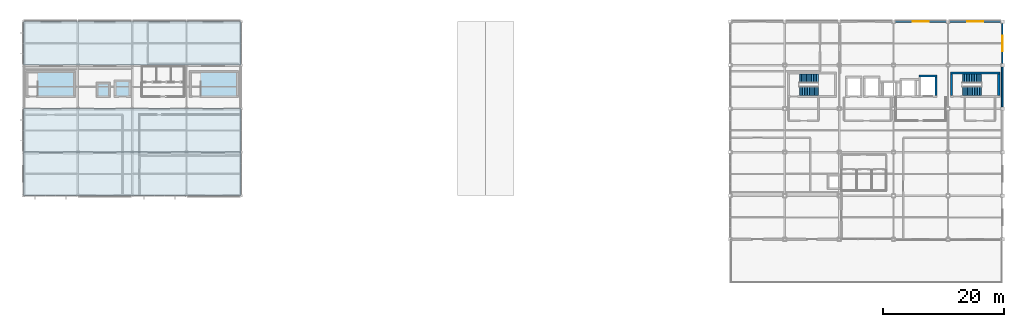
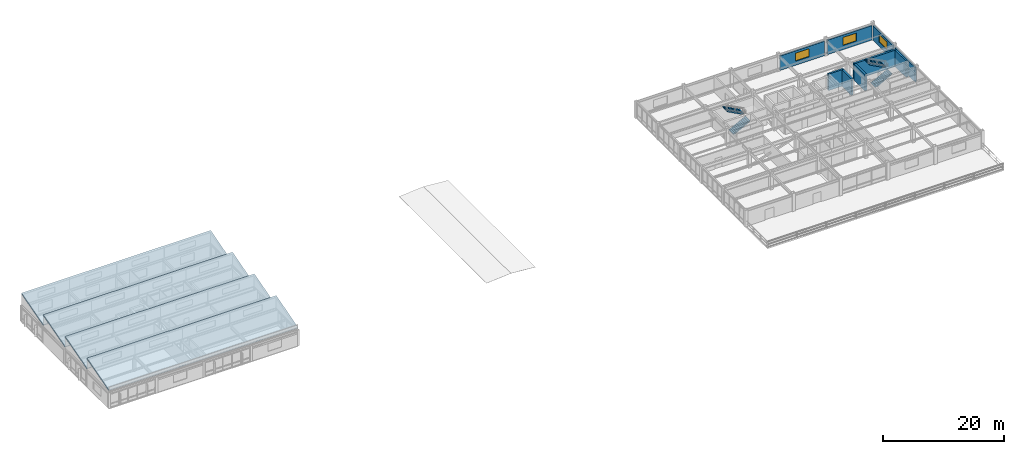
# One storey, part 39 of 43: 9 walls, 4 roofs, 4 stair flights, 3 windows, 3 openings, 2 elements without a shape of their own.
"""IFC4 building model written with IfcOpenShell, lengths in metres."""

import ifcopenshell
import ifcopenshell.guid

model = None  # the IFC model being written
_history = None  # IfcOwnerHistory: only IFC2X3 demands one
_inside = {}  # id of a spatial element -> (the spatial element, [elements in it])
_under = {}  # id of a project, library or spatial element -> (it, [spatial elements below it])
_declared = {}  # id of a project -> (the project, [libraries it declares])
_typed = {}  # id of a type object -> (the type object, [elements of that type])
_made_of = {}  # id of a material, layer set ... -> (it, [elements and type objects made of it])


def new_model(schema):
    """Start an empty IFC model of exactly this schema.

    Asked for "IFC4X3", IfcOpenShell would pick the latest addendum, in which some entities
    have other attributes; the version numbers below select the first issue.
    IFC2X3 requires an IfcOwnerHistory on every rooted entity: one is made here for all.
    """
    global model, _history
    if schema == "IFC4X3":
        model = ifcopenshell.file(schema_version=(4, 3, 0, 0))
    else:
        model = ifcopenshell.file(schema=schema)
    _inside.clear()
    _under.clear()
    _declared.clear()
    _typed.clear()
    _made_of.clear()
    _history = None
    if model.schema == "IFC2X3":
        org = make("IfcOrganization", Name="unknown")
        user = make(
            "IfcPersonAndOrganization",
            ThePerson=make("IfcPerson", FamilyName="unknown"),
            TheOrganization=org,
        )
        app = make(
            "IfcApplication",
            ApplicationDeveloper=org,
            Version="unknown",
            ApplicationFullName="unknown",
            ApplicationIdentifier="unknown",
        )
        _history = make(
            "IfcOwnerHistory",
            OwningUser=user,
            OwningApplication=app,
            ChangeAction="ADDED",
            CreationDate=0,
        )
    return model


def make(cls, **values):
    """One entity of the class cls with the attributes given. An attribute that is None is left unset."""
    return model.create_entity(
        cls, **{name: value for name, value in values.items() if value is not None}
    )


def rooted(cls, **values):
    """An entity with a GlobalId (a new one), such as an element, a storey or a relation."""
    return make(cls, GlobalId=ifcopenshell.guid.new(), OwnerHistory=_history, **values)


def si_unit(unit_type, name, prefix=None):
    """IfcSIUnit, for example si_unit("LENGTHUNIT", "METRE", prefix="MILLI")."""
    return make("IfcSIUnit", UnitType=unit_type, Prefix=prefix, Name=name)


def assignment(units):
    """IfcUnitAssignment: the units of a project."""
    return None if units is None else make("IfcUnitAssignment", Units=units)


def point(xyz):
    """IfcCartesianPoint."""
    return None if xyz is None else make("IfcCartesianPoint", Coordinates=xyz)


def direction(xyz):
    """IfcDirection."""
    return None if xyz is None else make("IfcDirection", DirectionRatios=xyz)


def frame(location, z_axis=None, x_axis=None):
    """IfcAxis2Placement3D, a coordinate frame: its origin and axes. An axis left out is left unset."""
    return make(
        "IfcAxis2Placement3D",
        Location=point(location),
        Axis=direction(z_axis),
        RefDirection=direction(x_axis),
    )


def frame_2d(location, x_axis=None):
    """IfcAxis2Placement2D, a coordinate frame in the plane: its origin and x axis."""
    return make(
        "IfcAxis2Placement2D", Location=point(location), RefDirection=direction(x_axis)
    )


def origin():
    """The frame at (0, 0, 0) with its axes left unset."""
    return frame((0.0, 0.0, 0.0))


def place(relative_to, where):
    """IfcLocalPlacement: puts the frame where relative to a parent placement (None: the world)."""
    return make(
        "IfcLocalPlacement", PlacementRelTo=relative_to, RelativePlacement=where
    )


def context(
    kind, dimensions, precision=None, world=None, true_north=None, identifier=None
):
    """IfcGeometricRepresentationContext, for example the 3D "Model" context."""
    return make(
        "IfcGeometricRepresentationContext",
        ContextIdentifier=identifier,
        ContextType=kind,
        CoordinateSpaceDimension=dimensions,
        Precision=precision,
        WorldCoordinateSystem=world,
        TrueNorth=true_north,
    )


def subcontext(parent, identifier, kind, view, scale=None):
    """IfcGeometricRepresentationSubContext, for example "Body" below "Model"."""
    return make(
        "IfcGeometricRepresentationSubContext",
        ContextIdentifier=identifier,
        ContextType=kind,
        ParentContext=parent,
        TargetScale=scale,
        TargetView=view,
    )


def project(units=None, contexts=None):
    """IfcProject with its units and contexts."""
    return rooted(
        "IfcProject",
        Name="project",
        RepresentationContexts=contexts,
        UnitsInContext=assignment(units),
    )


def spatial(cls, under=None, at=None, **own):
    """A site, building, storey or space (cls), placed at a placement, below another one or the project."""
    s = rooted(cls, ObjectPlacement=at, **own)
    if under is not None:
        _under.setdefault(under.id(), (under, []))[1].append(s)
    return s


def polyline(points):
    """IfcPolyline through the points."""
    return make("IfcPolyline", Points=[point(p) for p in points])


def profile(cls, at=None, kind="AREA", **sizes):
    """A parametric profile (cls). Its sizes go by their IFC names, for example OverallWidth=200.0."""
    return make(cls, ProfileType=kind, Position=at, **sizes)


def rectangle(**sizes):
    """IfcRectangleProfileDef."""
    return profile("IfcRectangleProfileDef", **sizes)


def outline(outer, holes=None, kind="AREA"):
    """IfcArbitraryClosedProfileDef: a profile drawn as a closed curve; with holes, ...WithVoids."""
    if holes is None:
        return make("IfcArbitraryClosedProfileDef", ProfileType=kind, OuterCurve=outer)
    return make(
        "IfcArbitraryProfileDefWithVoids",
        ProfileType=kind,
        OuterCurve=outer,
        InnerCurves=holes,
    )


def extrude(swept, where, along, depth):
    """IfcExtrudedAreaSolid: the profile swept, set in the frame where, extruded along a direction by depth."""
    return make(
        "IfcExtrudedAreaSolid",
        SweptArea=swept,
        Position=where,
        ExtrudedDirection=direction(along),
        Depth=depth,
    )


def shape(context_of_items, identifier, shape_type, items):
    """IfcShapeRepresentation: the items that make up one representation, for example the "Body"."""
    return make(
        "IfcShapeRepresentation",
        ContextOfItems=context_of_items,
        RepresentationIdentifier=identifier,
        RepresentationType=shape_type,
        Items=items,
    )


def material(Name=None, Category=None):
    """IfcMaterial."""
    return make("IfcMaterial", Name=Name, Category=Category)


def layer(
    of_material, thickness, ventilated=None, Name=None, Category=None, Priority=None
):
    """IfcMaterialLayer: one layer of a wall or slab, of a material (None: an air gap)."""
    return make(
        "IfcMaterialLayer",
        Material=of_material,
        LayerThickness=thickness,
        IsVentilated=ventilated,
        Name=Name,
        Category=Category,
        Priority=Priority,
    )


def layer_set(layers, Name=None):
    """IfcMaterialLayerSet."""
    return make("IfcMaterialLayerSet", MaterialLayers=layers, LayerSetName=Name)


def made_of(thing, what):
    """Note that an element or type object is made of a material, layer set ...; save() writes the relation."""
    if what is not None:
        _made_of.setdefault(what.id(), (what, []))[1].append(thing)
    return thing


def type_object(cls, material=None, **own):
    """A type object (cls), such as IfcWallType, which elements share."""
    return made_of(rooted(cls, **own), material)


def element(
    cls,
    number,
    at=None,
    inside=None,
    cuts=None,
    type_object=None,
    material=None,
    context=None,
    identifier="Body",
    shape_type=None,
    held_by="IfcProductDefinitionShape",
    body=None,
    shapes=None,
    **own,
):
    """One element of the class cls, such as IfcWall. Its Tag is "e" and its number.

    at: its placement. inside: the storey or other place that contains it. cuts: it is an
    opening in that element (IfcRelVoidsElement). A single representation is given by context,
    identifier, shape_type and body (its items); several are given by shapes. held_by: the class
    of the entity that holds the representations. save() writes the other relations.
    """
    e = rooted(cls, Tag="e%d" % number, ObjectPlacement=at, **own)
    if body is not None:
        shapes = [shape(context, identifier, shape_type, body)]
    if shapes is not None:
        e.Representation = make(held_by, Representations=shapes)
    if inside is not None:
        _inside.setdefault(inside.id(), (inside, []))[1].append(e)
    if cuts is not None:
        rooted(
            "IfcRelVoidsElement", RelatingBuildingElement=cuts, RelatedOpeningElement=e
        )
    if type_object is not None:
        _typed.setdefault(type_object.id(), (type_object, []))[1].append(e)
    return made_of(e, material)


def fill(opening, filler):
    """IfcRelFillsElement: the door or window that sits in an opening."""
    return rooted(
        "IfcRelFillsElement",
        RelatingOpeningElement=opening,
        RelatedBuildingElement=filler,
    )


def aggregate(whole, parts):
    """IfcRelAggregates: a whole, such as a stair, and the parts it consists of."""
    return rooted("IfcRelAggregates", RelatingObject=whole, RelatedObjects=parts)


def save(model, path):
    """Write the relations noted so far, then the file.

    IfcRelAggregates (storeys below a building ...), IfcRelContainedInSpatialStructure (elements
    in a storey), IfcRelDefinesByType, IfcRelAssociatesMaterial and IfcRelDeclares: one each for
    every whole, place, type object, material and project.
    """
    for whole, parts in _under.values():
        aggregate(whole, parts)
    for where, things in _inside.values():
        rooted(
            "IfcRelContainedInSpatialStructure",
            RelatedElements=things,
            RelatingStructure=where,
        )
    for kind, things in _typed.values():
        rooted("IfcRelDefinesByType", RelatedObjects=things, RelatingType=kind)
    for what, things in _made_of.values():
        rooted("IfcRelAssociatesMaterial", RelatedObjects=things, RelatingMaterial=what)
    for by, libraries in _declared.values():
        rooted("IfcRelDeclares", RelatingContext=by, RelatedDefinitions=libraries)
    model.write(path)


model = new_model("IFC4")

# Units and contexts
model_context = context("Model", 3, precision=1e-05, world=origin(), true_north=direction((0.0, 1.0)))
body_context = subcontext(model_context, "Body", "Model", "MODEL_VIEW")
ifc_project = project(units=[si_unit("LENGTHUNIT", "METRE"), si_unit("AREAUNIT", "SQUARE_METRE"), si_unit("VOLUMEUNIT", "CUBIC_METRE"), si_unit("PLANEANGLEUNIT", "RADIAN"), si_unit("MASSUNIT", "GRAM", prefix="KILO")], contexts=[model_context])

# Site, building, storey
site_placement = place(None, origin())
site = spatial("IfcSite", under=ifc_project, at=site_placement, CompositionType="ELEMENT")
building_placement = place(site_placement, origin())
building = spatial("IfcBuilding", under=site, at=building_placement, Name="Kazanami Central Library", CompositionType="ELEMENT")
storey_placement = place(building_placement, frame((0.0, 0.0, 20.60009765625)))
storey = spatial("IfcBuildingStorey", under=building, at=storey_placement, Name="L06", CompositionType="ELEMENT", Elevation=20.60009765625)

# Wall, opening, window
ifc_material_1 = material(Name="Concrete Fc36 (36 MPa)", Category="concrete")
ifc_layer_1 = layer(ifc_material_1, 0.199951171875, Name="Concrete Fc36 (36 MPa)")
ifc_material_2 = material(Name="Extruded Polystyrene XPS", Category="earth")
ifc_layer_2 = layer(ifc_material_2, 0.050048828125, Name="Extruded Polystyrene XPS")
ifc_material_3 = material(Name="Honed Inada Granite", Category="masonry")
ifc_layer_3 = layer(ifc_material_3, 0.030029296875, Name="Honed Inada Granite")
ifc_layer_set_1 = layer_set([ifc_layer_1, ifc_layer_2, ifc_layer_3], Name="Concrete Fc36 (36 MPa)")
wall_type_1 = type_object("IfcWallType", Name="WAL-EW-280", PredefinedType="STANDARD", material=ifc_layer_set_1)
wall_1_placement = place(storey_placement, frame((152.72509765625, 93.60009765625, 0.0), z_axis=(0.0, 0.0, 1.0), x_axis=(-1.0, 0.0, 0.0)))
wall_1 = element("IfcWall", 1, at=wall_1_placement, inside=storey, type_object=wall_type_1, Name="Exterior Facade Wall EW-280 L06 N-O-16", PredefinedType="STANDARD", context=body_context, shape_type="SweptSolid", body=[
    extrude(rectangle(XDim=8.4501953125, YDim=0.280029296875, at=frame_2d((4.22509765625, 0.0))), origin(), (0.0, 0.0, 1.0), 2.919921875),
])
opening_1_placement = place(wall_1_placement, frame((2.925048828125, 0.0, 0.85009765625)))
opening_1 = element("IfcOpeningElement", 2, at=opening_1_placement, cuts=wall_1, Name="Opening WN-13", PredefinedType="OPENING", context=body_context, shape_type="SweptSolid", body=[
    extrude(rectangle(XDim=2.60009765625, YDim=1.60009765625, at=frame_2d((1.300048828125, 0.800048828125))), frame((0.0, 0.15185546875, 0.0), z_axis=(0.0, -1.0, 0.0), x_axis=(1.0, 0.0, 0.0)), (0.0, 0.0, 1.0), 0.303955078125),
])
ifc_material_4 = material(Name="Low-E Insulated Triple Glass", Category="glass")
window_type = type_object("IfcWindowType", Name="WIN-WN-13", PartitioningType="DOUBLE_PANEL_VERTICAL", PredefinedType="WINDOW", material=ifc_material_4)
window_1_placement = place(opening_1_placement, origin())
window_1 = element("IfcWindow", 3, at=window_1_placement, inside=storey, type_object=window_type, Name="Facade Window WN-13 L06 N-O-16", OverallHeight=1.60009765625, OverallWidth=2.60009765625, PartitioningType="DOUBLE_PANEL_VERTICAL", PredefinedType="WINDOW", context=body_context, shape_type="SweptSolid", body=[
    extrude(rectangle(XDim=2.60009765625, YDim=1.60009765625, at=frame_2d((1.300048828125, 0.800048828125))), frame((0.0, 0.030029296875, 0.0), z_axis=(0.0, -1.0, 0.0), x_axis=(1.0, 0.0, 0.0)), (0.0, 0.0, 1.0), 0.06005859375),
])
fill(opening_1, window_1)

wall_2_placement = place(storey_placement, frame((161.72509765625, 93.60009765625, 0.0), z_axis=(0.0, 0.0, 1.0), x_axis=(-1.0, 0.0, 0.0)))
wall_2 = element("IfcWall", 4, at=wall_2_placement, inside=storey, type_object=wall_type_1, Name="Exterior Facade Wall EW-280 L06 N-O-17", PredefinedType="STANDARD", context=body_context, shape_type="SweptSolid", body=[
    extrude(rectangle(XDim=8.4501953125, YDim=0.280029296875, at=frame_2d((4.22509765625, 0.0))), origin(), (0.0, 0.0, 1.0), 2.919921875),
])
opening_2_placement = place(wall_2_placement, frame((2.925048828125, 0.0, 0.85009765625)))
opening_2 = element("IfcOpeningElement", 5, at=opening_2_placement, cuts=wall_2, Name="Opening WN-13", PredefinedType="OPENING", context=body_context, shape_type="SweptSolid", body=[
    extrude(rectangle(XDim=2.60009765625, YDim=1.60009765625, at=frame_2d((1.300048828125, 0.800048828125))), frame((0.0, 0.15185546875, 0.0), z_axis=(0.0, -1.0, 0.0), x_axis=(1.0, 0.0, 0.0)), (0.0, 0.0, 1.0), 0.303955078125),
])
window_2_placement = place(opening_2_placement, origin())
window_2 = element("IfcWindow", 6, at=window_2_placement, inside=storey, type_object=window_type, Name="Facade Window WN-13 L06 N-O-17", OverallHeight=1.60009765625, OverallWidth=2.60009765625, PartitioningType="DOUBLE_PANEL_VERTICAL", PredefinedType="WINDOW", context=body_context, shape_type="SweptSolid", body=[
    extrude(rectangle(XDim=2.60009765625, YDim=1.60009765625, at=frame_2d((1.300048828125, 0.800048828125))), frame((0.0, 0.030029296875, 0.0), z_axis=(0.0, -1.0, 0.0), x_axis=(1.0, 0.0, 0.0)), (0.0, 0.0, 1.0), 0.06005859375),
])
fill(opening_2, window_2)

# Wall
wall_3_placement = place(storey_placement, frame((162.0, 86.125, 0.0), z_axis=(0.0, 0.0, 1.0), x_axis=(0.0, -1.0, 0.0)))
element("IfcWall", 7, at=wall_3_placement, inside=storey, type_object=wall_type_1, Name="Exterior Facade Wall EW-280 L06 E-19-11", PredefinedType="STANDARD", context=body_context, shape_type="SweptSolid", body=[
    extrude(rectangle(XDim=6.64990234375, YDim=0.280029296875, at=frame_2d((3.324951171875, 0.0))), origin(), (0.0, 0.0, 1.0), 2.919921875),
])

# Wall, opening, window
wall_4_placement = place(storey_placement, frame((162.0, 93.324951171875, 0.0), z_axis=(0.0, 0.0, 1.0), x_axis=(0.0, -1.0, 0.0)))
wall_4 = element("IfcWall", 8, at=wall_4_placement, inside=storey, type_object=wall_type_1, Name="Exterior Facade Wall EW-280 L06 E-19-12", PredefinedType="STANDARD", context=body_context, shape_type="SweptSolid", body=[
    extrude(rectangle(XDim=6.64990234375, YDim=0.280029296875, at=frame_2d((3.324951171875, 0.0))), origin(), (0.0, 0.0, 1.0), 2.919921875),
])
opening_3_placement = place(wall_4_placement, frame((2.02490234375, 0.0, 0.85009765625)))
opening_3 = element("IfcOpeningElement", 9, at=opening_3_placement, cuts=wall_4, Name="Opening WN-13", PredefinedType="OPENING", context=body_context, shape_type="SweptSolid", body=[
    extrude(rectangle(XDim=2.60009765625, YDim=1.60009765625, at=frame_2d((1.300048828125, 0.800048828125))), frame((0.0, 0.15185546875, 0.0), z_axis=(0.0, -1.0, 0.0), x_axis=(1.0, 0.0, 0.0)), (0.0, 0.0, 1.0), 0.303955078125),
])
window_3_placement = place(opening_3_placement, origin())
window_3 = element("IfcWindow", 10, at=window_3_placement, inside=storey, type_object=window_type, Name="Facade Window WN-13 L06 E-19-12", OverallHeight=1.60009765625, OverallWidth=2.60009765625, PartitioningType="DOUBLE_PANEL_VERTICAL", PredefinedType="WINDOW", context=body_context, shape_type="SweptSolid", body=[
    extrude(rectangle(XDim=2.60009765625, YDim=1.60009765625, at=frame_2d((1.300048828125, 0.800048828125))), frame((0.0, 0.030029296875, 0.0), z_axis=(0.0, -1.0, 0.0), x_axis=(1.0, 0.0, 0.0)), (0.0, 0.0, 1.0), 0.06005859375),
])
fill(opening_3, window_3)

# Walls
ifc_layer_4 = layer(ifc_material_1, 0.35009765625, Name="Concrete Fc36 (36 MPa)")
ifc_layer_set_2 = layer_set([ifc_layer_4], Name="Concrete Fc36 (36 MPa)")
wall_type_2 = type_object("IfcWallType", Name="WAL-SW-350", PredefinedType="SHEAR", material=ifc_layer_set_2)
wall_5_placement = place(storey_placement, frame((153.425048828125, 85.10009765625, 0.0), z_axis=(0.0, 0.0, 1.0), x_axis=(1.0, 0.0, 0.0)))
element("IfcWall", 11, at=wall_5_placement, inside=storey, type_object=wall_type_2, Name="Stair Core Wall ST-02 North L06", PredefinedType="SHEAR", context=body_context, shape_type="SweptSolid", body=[
    extrude(rectangle(XDim=8.14990234375, YDim=0.35009765625, at=frame_2d((4.074951171875, 0.0))), origin(), (0.0, 0.0, 1.0), 3.31982421875),
])
for number, where, z_axis, x_axis, name in (
    (12, (153.60009765625, 81.375, 0.0), (0.0, 0.0, 1.0), (0.0, 1.0, 0.0), "Stair Core Wall ST-02 West L06"),
    (13, (161.39990234375, 81.375, 0.0), (0.0, 0.0, 1.0), (0.0, 1.0, 0.0), "Stair Core Wall ST-02 East L06"),
):
    element("IfcWall", number, at=place(storey_placement, frame(where, z_axis=z_axis, x_axis=x_axis)), inside=storey, type_object=wall_type_2, Name=name, PredefinedType="SHEAR", context=body_context, shape_type="SweptSolid", body=[
        extrude(rectangle(XDim=3.550048828125, YDim=0.35009765625, at=frame_2d((1.77490234375, 0.0))), origin(), (0.0, 0.0, 1.0), 3.31982421875),
    ])
wall_6_placement = place(storey_placement, frame((148.22509765625, 84.60009765625, 0.0), z_axis=(0.0, 0.0, 1.0), x_axis=(1.0, 0.0, 0.0)))
element("IfcWall", 14, at=wall_6_placement, inside=storey, type_object=wall_type_2, Name="Lift Shaft Wall EL-S1 North L06", PredefinedType="SHEAR", context=body_context, shape_type="SweptSolid", body=[
    extrude(rectangle(XDim=2.949951171875, YDim=0.35009765625, at=frame_2d((1.47509765625, 0.0))), origin(), (0.0, 0.0, 1.0), 3.31982421875),
])
wall_7_placement = place(storey_placement, frame((151.0, 81.375, 0.0), z_axis=(0.0, 0.0, 1.0), x_axis=(0.0, 1.0, 0.0)))
element("IfcWall", 15, at=wall_7_placement, inside=storey, type_object=wall_type_2, Name="Lift Shaft Wall EL-S1 East L06", PredefinedType="SHEAR", context=body_context, shape_type="SweptSolid", body=[
    extrude(rectangle(XDim=3.050048828125, YDim=0.35009765625, at=frame_2d((1.52490234375, 0.0))), origin(), (0.0, 0.0, 1.0), 3.31982421875),
])

# Stair, stair flights
stair_type = type_object("IfcStairType", Name="STR-T36", PredefinedType="HALF_TURN_STAIR", material=ifc_material_1)
stair_1_placement = place(storey_placement, origin())
stair_1 = element("IfcStair", 16, at=stair_1_placement, inside=storey, type_object=stair_type, Name="Enclosed Escape Stair ST-01 (L06)", PredefinedType="HALF_TURN_STAIR")
stair_flight_type = type_object("IfcStairFlightType", Name="FLT-STR-T36", PredefinedType="STRAIGHT", material=ifc_material_1)
stair_flight_1_placement = place(storey_placement, frame((128.39404296875, 82.125, 0.0), z_axis=(0.0, 0.0, 1.0), x_axis=(1.0, 0.0, 0.0)))
stair_flight_1 = element("IfcStairFlight", 17, at=stair_flight_1_placement, type_object=stair_flight_type, Name="ST-01 flight 1", NumberOfRisers=12, NumberOfTreads=11, PredefinedType="STRAIGHT", RiserHeight=0.15, TreadLength=0.28, context=body_context, shape_type="SweptSolid", body=[
    extrude(outline(polyline([(0.0, 0.0), (0.0, 0.14990234375), (0.280029296875, 0.14990234375), (0.280029296875, 0.300048828125), (0.56005859375, 0.300048828125), (0.56005859375, 0.449951171875), (0.840087890625, 0.449951171875), (0.840087890625, 0.60009765625), (1.1201171875, 0.60009765625), (1.1201171875, 0.75), (1.39990234375, 0.75), (1.39990234375, 0.89990234375), (1.679931640625, 0.89990234375), (1.679931640625, 1.050048828125), (1.9599609375, 1.050048828125), (1.9599609375, 1.199951171875), (2.239990234375, 1.199951171875), (2.239990234375, 1.35009765625), (2.52001953125, 1.35009765625), (2.52001953125, 1.5), (2.800048828125, 1.5), (2.800048828125, 1.64990234375), (3.080078125, 1.64990234375), (3.080078125, 1.800048828125), (3.16015625, 1.800048828125), (3.16015625, 1.6201171875), (3.080078125, 1.44580078125), (0.381103515625, 0.0), (0.0, 0.0)])), frame((0.0, 0.75, 0.0), z_axis=(0.0, -1.0, 0.0), x_axis=(1.0, 0.0, 0.0)), (0.0, 0.0, 1.0), 1.5),
])
stair_flight_2_placement = place(storey_placement, frame((131.553955078125, 84.175048828125, 1.7998046875), z_axis=(0.0, 0.0, 1.0), x_axis=(-1.0, 0.0, 0.0)))
stair_flight_2 = element("IfcStairFlight", 18, at=stair_flight_2_placement, type_object=stair_flight_type, Name="ST-01 flight 2", NumberOfRisers=12, NumberOfTreads=11, PredefinedType="STRAIGHT", RiserHeight=0.15, TreadLength=0.28, context=body_context, shape_type="SweptSolid", body=[
    extrude(outline(polyline([(0.0, 0.0), (0.0, 0.14990234375), (0.280029296875, 0.14990234375), (0.280029296875, 0.300048828125), (0.56005859375, 0.300048828125), (0.56005859375, 0.449951171875), (0.840087890625, 0.449951171875), (0.840087890625, 0.60009765625), (1.1201171875, 0.60009765625), (1.1201171875, 0.75), (1.39990234375, 0.75), (1.39990234375, 0.89990234375), (1.679931640625, 0.89990234375), (1.679931640625, 1.050048828125), (1.9599609375, 1.050048828125), (1.9599609375, 1.199951171875), (2.239990234375, 1.199951171875), (2.239990234375, 1.35009765625), (2.52001953125, 1.35009765625), (2.52001953125, 1.5), (2.800048828125, 1.5), (2.800048828125, 1.64990234375), (3.080078125, 1.64990234375), (3.080078125, 1.800048828125), (3.16015625, 1.800048828125), (3.16015625, 1.6201171875), (3.080078125, 1.44580078125), (0.381103515625, 0.0), (0.0, 0.0)])), frame((0.0, 0.75, 0.0), z_axis=(0.0, -1.0, 0.0), x_axis=(1.0, 0.0, 0.0)), (0.0, 0.0, 1.0), 1.5),
])
aggregate(stair_1, [stair_flight_1, stair_flight_2])

stair_2_placement = place(storey_placement, origin())
stair_2 = element("IfcStair", 19, at=stair_2_placement, inside=storey, type_object=stair_type, Name="Enclosed Escape Stair ST-02 (L06)", PredefinedType="HALF_TURN_STAIR")
stair_flight_3_placement = place(storey_placement, frame((155.39404296875, 82.125, 0.0), z_axis=(0.0, 0.0, 1.0), x_axis=(1.0, 0.0, 0.0)))
stair_flight_3 = element("IfcStairFlight", 20, at=stair_flight_3_placement, type_object=stair_flight_type, Name="ST-02 flight 1", NumberOfRisers=12, NumberOfTreads=11, PredefinedType="STRAIGHT", RiserHeight=0.15, TreadLength=0.28, context=body_context, shape_type="SweptSolid", body=[
    extrude(outline(polyline([(0.0, 0.0), (0.0, 0.14990234375), (0.280029296875, 0.14990234375), (0.280029296875, 0.300048828125), (0.56005859375, 0.300048828125), (0.56005859375, 0.449951171875), (0.840087890625, 0.449951171875), (0.840087890625, 0.60009765625), (1.1201171875, 0.60009765625), (1.1201171875, 0.75), (1.39990234375, 0.75), (1.39990234375, 0.89990234375), (1.679931640625, 0.89990234375), (1.679931640625, 1.050048828125), (1.9599609375, 1.050048828125), (1.9599609375, 1.199951171875), (2.239990234375, 1.199951171875), (2.239990234375, 1.35009765625), (2.52001953125, 1.35009765625), (2.52001953125, 1.5), (2.800048828125, 1.5), (2.800048828125, 1.64990234375), (3.080078125, 1.64990234375), (3.080078125, 1.800048828125), (3.16015625, 1.800048828125), (3.16015625, 1.6201171875), (3.080078125, 1.44580078125), (0.381103515625, 0.0), (0.0, 0.0)])), frame((0.0, 0.75, 0.0), z_axis=(0.0, -1.0, 0.0), x_axis=(1.0, 0.0, 0.0)), (0.0, 0.0, 1.0), 1.5),
])
stair_flight_4_placement = place(storey_placement, frame((158.553955078125, 84.175048828125, 1.7998046875), z_axis=(0.0, 0.0, 1.0), x_axis=(-1.0, 0.0, 0.0)))
stair_flight_4 = element("IfcStairFlight", 21, at=stair_flight_4_placement, type_object=stair_flight_type, Name="ST-02 flight 2", NumberOfRisers=12, NumberOfTreads=11, PredefinedType="STRAIGHT", RiserHeight=0.15, TreadLength=0.28, context=body_context, shape_type="SweptSolid", body=[
    extrude(outline(polyline([(0.0, 0.0), (0.0, 0.14990234375), (0.280029296875, 0.14990234375), (0.280029296875, 0.300048828125), (0.56005859375, 0.300048828125), (0.56005859375, 0.449951171875), (0.840087890625, 0.449951171875), (0.840087890625, 0.60009765625), (1.1201171875, 0.60009765625), (1.1201171875, 0.75), (1.39990234375, 0.75), (1.39990234375, 0.89990234375), (1.679931640625, 0.89990234375), (1.679931640625, 1.050048828125), (1.9599609375, 1.050048828125), (1.9599609375, 1.199951171875), (2.239990234375, 1.199951171875), (2.239990234375, 1.35009765625), (2.52001953125, 1.35009765625), (2.52001953125, 1.5), (2.800048828125, 1.5), (2.800048828125, 1.64990234375), (3.080078125, 1.64990234375), (3.080078125, 1.800048828125), (3.16015625, 1.800048828125), (3.16015625, 1.6201171875), (3.080078125, 1.44580078125), (0.381103515625, 0.0), (0.0, 0.0)])), frame((0.0, 0.75, 0.0), z_axis=(0.0, -1.0, 0.0), x_axis=(1.0, 0.0, 0.0)), (0.0, 0.0, 1.0), 1.5),
])
aggregate(stair_2, [stair_flight_3, stair_flight_4])

# Roofs
ifc_material_5 = material(Name="Standing-Seam Titanium Zinc")
ifc_layer_5 = layer(ifc_material_5, 0.199951171875, Name="Standing-Seam Titanium Zinc")
ifc_layer_set_3 = layer_set([ifc_layer_5], Name="Standing-Seam Titanium Zinc")
roof_type = type_object("IfcRoofType", Name="ROOF-RF-S1", PredefinedType="SHED_ROOF", material=ifc_layer_set_3)
for number, where, z_axis, x_axis, name in (
    (22, (0.0, 64.800048828125, 3.60791015625), (0.0, -0.273846631803, 0.961773373644), (1.0, 0.0, 0.0), "North-Light Sawtooth Shed Roof SAW-L06-V4-1"),
    (23, (0.0, 72.0, 3.60791015625), (0.0, -0.273846631803, 0.961773373644), (1.0, 0.0, 0.0), "North-Light Sawtooth Shed Roof SAW-L06-V4-2"),
    (24, (0.0, 79.199951171875, 3.60791015625), (0.0, -0.273846631803, 0.961773373644), (1.0, 0.0, 0.0), "North-Light Sawtooth Shed Roof SAW-L06-V4-3"),
):
    element("IfcRoof", number, at=place(storey_placement, frame(where, z_axis=z_axis, x_axis=x_axis)), inside=storey, type_object=roof_type, Name=name, PredefinedType="SHED_ROOF", context=body_context, shape_type="SweptSolid", body=[
        extrude(outline(polyline([(0.0, 0.0), (36.0, 0.0), (36.0, 7.486120295258477), (0.0, 7.486120295258477), (0.0, 0.0)])), origin(), (0.0, 0.0, -1.0), 0.199951171875),
    ])
roof_placement = place(storey_placement, frame((0.0, 86.39990234375, 3.60791015625), z_axis=(0.0, -0.27383804265, 0.9617758192), x_axis=(1.0, 0.0, 0.0)))
element("IfcRoof", 25, at=roof_placement, inside=storey, type_object=roof_type, Name="North-Light Sawtooth Shed Roof SAW-L06-V4-4", PredefinedType="SHED_ROOF", context=body_context, shape_type="SweptSolid", body=[
    extrude(outline(polyline([(0.0, 0.0), (36.0, 0.0), (36.0, 7.486355103509561), (0.0, 7.486355103509561), (0.0, 0.0)])), origin(), (0.0, 0.0, -1.0), 0.199951171875),
])

save(model, "model.ifc")
